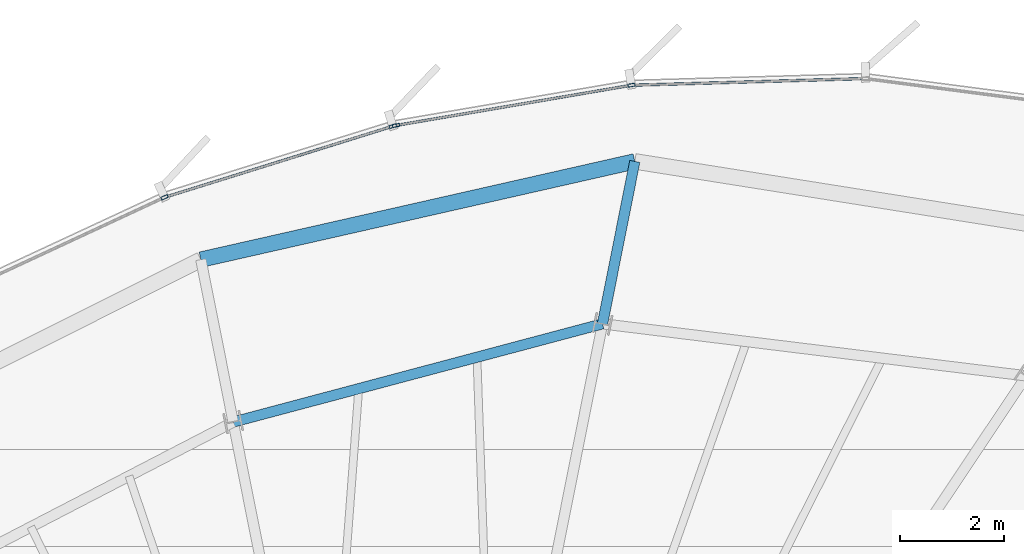
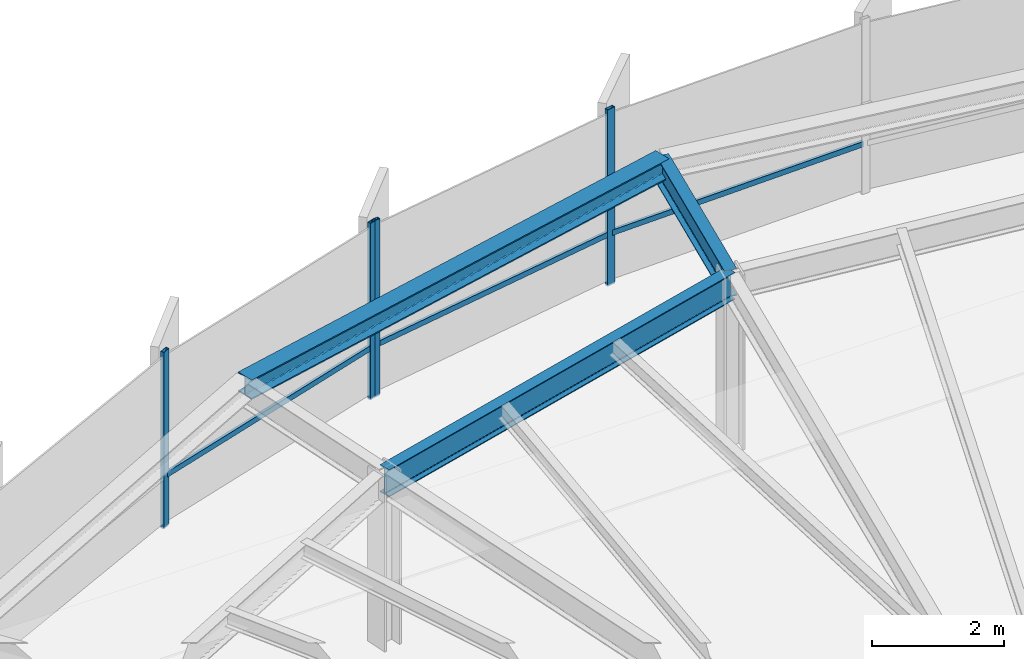
# One storey, part 23 of 34: 7 members, 3 beams, 2 elements without a shape of their own.
"""IFC4 building model written with IfcOpenShell, lengths in metres."""

from ifc_helpers import new_model, si_unit, direction, frame, origin, origin_2d, place, context, subcontext, project, spatial, hollow_rectangle, i_section, extrude, source, transform, mapped, material, layer, layer_set, material_profile, profile_set, type_object, element, aggregate, save


model = new_model("IFC4")

# Units and contexts
model_context = context("Model", 3, precision=1e-05, world=origin(), true_north=direction((0.0, 1.0)))
body_context = subcontext(model_context, "Body", "Model", "MODEL_VIEW")
ifc_project = project(units=[si_unit("LENGTHUNIT", "METRE"), si_unit("AREAUNIT", "SQUARE_METRE"), si_unit("VOLUMEUNIT", "CUBIC_METRE"), si_unit("PLANEANGLEUNIT", "RADIAN"), si_unit("MASSUNIT", "GRAM", prefix="KILO"), si_unit("THERMODYNAMICTEMPERATUREUNIT", "KELVIN")], contexts=[model_context])

# Site, building, storey
site_placement = place(None, origin())
site = spatial("IfcSite", under=ifc_project, at=site_placement, CompositionType="ELEMENT")
building_placement = place(site_placement, origin())
building = spatial("IfcBuilding", under=site, at=building_placement, Name="Kethvar Cultural Tower", CompositionType="ELEMENT")
storey_placement = place(building_placement, frame((0.0, 0.0, 183.39990234375)))
storey = spatial("IfcBuildingStorey", under=building, at=storey_placement, Name="L47", CompositionType="ELEMENT", Elevation=183.39990234375)

# Beams
ifc_material_1 = material(Name="Steel S355J2", Category="steel")
ifc_material_profile_1 = material_profile(ifc_material_1, i_section(OverallWidth=0.199951171875, OverallDepth=0.5, WebThickness=0.01025390625, FlangeThickness=0.01611328125, FilletRadius=0.02099609375, at=origin_2d()), Name="Steel S355J2 — IPE500")
ifc_profile_set_1 = profile_set([ifc_material_profile_1], Name="Steel S355J2 — IPE500")
beam_type_1 = type_object("IfcBeamType", Name="BM-IPE500", PredefinedType="BEAM", material=ifc_profile_set_1)
shared_shape_1 = source(origin(), body_context, "Body", "SweptSolid", [
    extrude(i_section(OverallWidth=0.199951171875, OverallDepth=0.5, WebThickness=0.01025390625, FlangeThickness=0.01611328125, FilletRadius=0.02099609375, at=origin_2d()), origin(), (0.0, 0.0, 1.0), 3.199951171875),
])
beam_1_placement = place(storey_placement, frame((50.556884765625, 46.6875, 3.008056640625), z_axis=(0.195088965533, 0.980785550224, 0.0), x_axis=(-0.980785550224, 0.195088965533, 0.0)))
element("IfcBeam", 1, at=beam_1_placement, inside=storey, type_object=beam_type_1, Name="L47 Perimeter Cantilever Beam RC-04", PredefinedType="BEAM", context=body_context, shape_type="MappedRepresentation", body=[
    mapped(shared_shape_1, transform((0.0, 0.0, 0.0), scale=1.0)),
])
shared_shape_2 = source(origin(), body_context, "Body", "SweptSolid", [
    extrude(i_section(OverallWidth=0.199951171875, OverallDepth=0.5, WebThickness=0.01025390625, FlangeThickness=0.01611328125, FilletRadius=0.02099609375, at=origin_2d()), origin(), (0.0, 0.0, 1.0), 7.38427734375),
])
beam_2_placement = place(storey_placement, frame((50.556884765625, 46.6875, 3.008056640625), z_axis=(-0.966396628298, -0.257055552002, 0.0), x_axis=(0.257055552002, -0.966396628298, 0.0)))
element("IfcBeam", 2, at=beam_2_placement, inside=storey, type_object=beam_type_1, Name="L47 Column Ring Tie Beam CR-04", PredefinedType="BEAM", context=body_context, shape_type="MappedRepresentation", body=[
    mapped(shared_shape_2, transform((0.0, 0.0, 0.0), scale=1.0)),
])
ifc_material_profile_2 = material_profile(ifc_material_1, i_section(OverallWidth=0.300048828125, OverallDepth=0.360107421875, WebThickness=0.012451171875, FlangeThickness=0.0224609375, FilletRadius=0.027099609375, at=origin_2d()), Name="Steel S355J2 — HEB360")
ifc_profile_set_2 = profile_set([ifc_material_profile_2], Name="Steel S355J2 — HEB360")
beam_type_2 = type_object("IfcBeamType", Name="BM-SP360", PredefinedType="SPANDREL", material=ifc_profile_set_2)
shared_shape_3 = source(origin(), body_context, "Body", "SweptSolid", [
    extrude(i_section(OverallWidth=0.300048828125, OverallDepth=0.360107421875, WebThickness=0.012451171875, FlangeThickness=0.0224609375, FilletRadius=0.027099609375, at=origin_2d()), origin(), (0.0, 0.0, 1.0), 8.596923828125),
])
beam_3_placement = place(storey_placement, frame((51.18115234375, 49.825927734375, 3.078125), z_axis=(-0.975319414912, -0.2207986388, 0.0), x_axis=(0.2207986388, -0.975319414912, 0.0)))
element("IfcBeam", 3, at=beam_3_placement, inside=storey, type_object=beam_type_2, Name="L47 Perimeter Spandrel Beam SP-04", PredefinedType="SPANDREL", context=body_context, shape_type="MappedRepresentation", body=[
    mapped(shared_shape_3, transform((0.0, 0.0, 0.0), scale=1.0)),
])

# Curtain wall, members
ifc_material_2 = material(Name="Aluminium 6063-T6", Category="aluminium")
ifc_layer = layer(ifc_material_2, 0.179931640625, Name="Aluminium 6063-T6", Category="aluminium")
ifc_layer_set = layer_set([ifc_layer], Name="Aluminium 6063-T6 (180 mm)")
curtain_wall_type = type_object("IfcCurtainWallType", Name="CW-SYS-04-Z34", PredefinedType="NOTDEFINED", material=ifc_layer_set)
curtain_wall_1_placement = place(storey_placement, origin())
curtain_wall_1 = element("IfcCurtainWall", 4, at=curtain_wall_1_placement, inside=storey, type_object=curtain_wall_type, Name="L47 Curtain Wall Run 01", PredefinedType="NOTDEFINED")
ifc_material_profile_3 = material_profile(ifc_material_2, hollow_rectangle(XDim=0.06005859375, YDim=0.139892578125, WallThickness=0.0048828125, at=origin_2d()), Name="Aluminium 6063-T6 — RHS140x60x5")
ifc_profile_set_3 = profile_set([ifc_material_profile_3], Name="Aluminium 6063-T6 — RHS140x60x5")
member_type_1 = type_object("IfcMemberType", Name="CW-SYS-04-Z34-MUL", PredefinedType="MULLION", material=ifc_profile_set_3)
shared_shape_4 = source(origin(), body_context, "Body", "SweptSolid", [
    extrude(hollow_rectangle(XDim=0.06005859375, YDim=0.139892578125, WallThickness=0.0048828125, at=origin_2d()), origin(), (0.0, 0.0, 1.0), 3.260009765625),
])
member_1_placement = place(storey_placement, frame((51.114990234375, 51.297607421875, 0.0), z_axis=(0.0, 0.0, 1.0), x_axis=(0.168420564071, -0.985715229464, 0.0)))
member_1 = element("IfcMember", 5, at=member_1_placement, type_object=member_type_1, Name="CW-L47-R01 Mullion 6", PredefinedType="MULLION", context=body_context, shape_type="MappedRepresentation", body=[
    mapped(shared_shape_4, transform((0.0, 0.0, 0.0), scale=1.0)),
])
member_2_placement = place(storey_placement, frame((46.567138671875, 50.5205078125, 0.0), z_axis=(0.0, 0.0, 1.0), x_axis=(0.168420564071, -0.985715229464, 0.0)))
member_2 = element("IfcMember", 6, at=member_2_placement, type_object=member_type_1, Name="CW-L47-R01 Mullion 7", PredefinedType="MULLION", context=body_context, shape_type="MappedRepresentation", body=[
    mapped(shared_shape_4, transform((0.0, 0.0, 0.0), scale=1.0)),
])

curtain_wall_2_placement = place(storey_placement, origin())
curtain_wall_2 = element("IfcCurtainWall", 7, at=curtain_wall_2_placement, inside=storey, type_object=curtain_wall_type, Name="L47 Curtain Wall Run 02", PredefinedType="NOTDEFINED")
member_3_placement = place(storey_placement, frame((46.505615234375, 50.505859375, 0.0), z_axis=(0.0, 0.0, 1.0), x_axis=(0.297508180935, -0.954719268831, 0.0)))
member_3 = element("IfcMember", 8, at=member_3_placement, type_object=member_type_1, Name="CW-L47-R02 Mullion 1", PredefinedType="MULLION", context=body_context, shape_type="MappedRepresentation", body=[
    mapped(shared_shape_4, transform((0.0, 0.0, 0.0), scale=1.0)),
])
member_4_placement = place(storey_placement, frame((42.093994140625, 49.132080078125, 0.0), z_axis=(0.0, 0.0, 1.0), x_axis=(0.42144737352, -0.906852860917, 0.0)))
member_4 = element("IfcMember", 9, at=member_4_placement, type_object=member_type_1, Name="CW-L47-R02 Mullion 2", PredefinedType="MULLION", context=body_context, shape_type="MappedRepresentation", body=[
    mapped(shared_shape_4, transform((0.0, 0.0, 0.0), scale=1.0)),
])

# Member
ifc_material_profile_4 = material_profile(ifc_material_2, hollow_rectangle(XDim=0.050048828125, YDim=0.10009765625, WallThickness=0.00390625, at=origin_2d()), Name="Aluminium 6063-T6 — RHS100x50x4")
ifc_profile_set_4 = profile_set([ifc_material_profile_4], Name="Aluminium 6063-T6 — RHS100x50x4")
member_type_2 = type_object("IfcMemberType", Name="CW-SYS-04-Z34-TRN", PredefinedType="USERDEFINED", material=ifc_profile_set_4)
shared_shape_5 = source(origin(), body_context, "Body", "SweptSolid", [
    extrude(hollow_rectangle(XDim=0.050048828125, YDim=0.10009765625, WallThickness=0.00390625, at=origin_2d()), origin(), (0.0, 0.0, 1.0), 4.456298828125),
])
member_5_placement = place(storey_placement, frame((55.597412109375, 51.425048828125, 0.9501953125), z_axis=(-0.999589445776, -0.028652048676, 0.0), x_axis=(0.028652048676, -0.999589445776, 0.0)))
member_5 = element("IfcMember", 10, at=member_5_placement, type_object=member_type_2, Name="CW-L47-R01 Transom 5", ObjectType="TRANSOM", PredefinedType="USERDEFINED", context=body_context, shape_type="MappedRepresentation", body=[
    mapped(shared_shape_5, transform((0.0, 0.0, 0.0), scale=1.0)),
])

shared_shape_6 = source(origin(), body_context, "Body", "SweptSolid", [
    extrude(hollow_rectangle(XDim=0.050048828125, YDim=0.10009765625, WallThickness=0.00390625, at=origin_2d()), origin(), (0.0, 0.0, 1.0), 4.56640625),
])
member_6_placement = place(storey_placement, frame((51.072509765625, 51.290283203125, 0.9501953125), z_axis=(-0.98571673287, -0.16841176485, 0.0), x_axis=(0.16841176485, -0.98571673287, 0.0)))
member_6 = element("IfcMember", 11, at=member_6_placement, type_object=member_type_2, Name="CW-L47-R01 Transom 6", ObjectType="TRANSOM", PredefinedType="USERDEFINED", context=body_context, shape_type="MappedRepresentation", body=[
    mapped(shared_shape_6, transform((0.0, 0.0, 0.0), scale=1.0)),
])

aggregate(curtain_wall_1, [member_1, member_2, member_5, member_6])

shared_shape_7 = source(origin(), body_context, "Body", "SweptSolid", [
    extrude(hollow_rectangle(XDim=0.050048828125, YDim=0.10009765625, WallThickness=0.00390625, at=origin_2d()), origin(), (0.0, 0.0, 1.0), 4.587890625),
])
member_7_placement = place(storey_placement, frame((46.501708984375, 50.50439453125, 0.9501953125), z_axis=(-0.954730565176, -0.297471927949, 0.0), x_axis=(0.297471927949, -0.954730565176, 0.0)))
member_7 = element("IfcMember", 12, at=member_7_placement, type_object=member_type_2, Name="CW-L47-R02 Transom 1", ObjectType="TRANSOM", PredefinedType="USERDEFINED", context=body_context, shape_type="MappedRepresentation", body=[
    mapped(shared_shape_7, transform((0.0, 0.0, 0.0), scale=1.0)),
])

aggregate(curtain_wall_2, [member_3, member_4, member_7])

save(model, "model.ifc")
